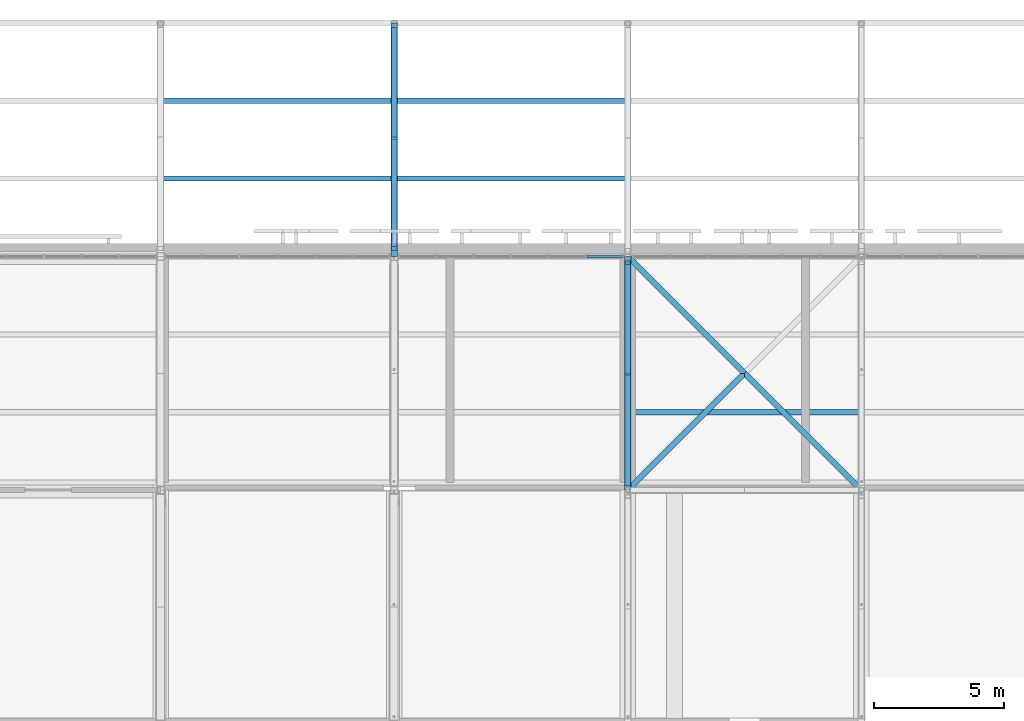
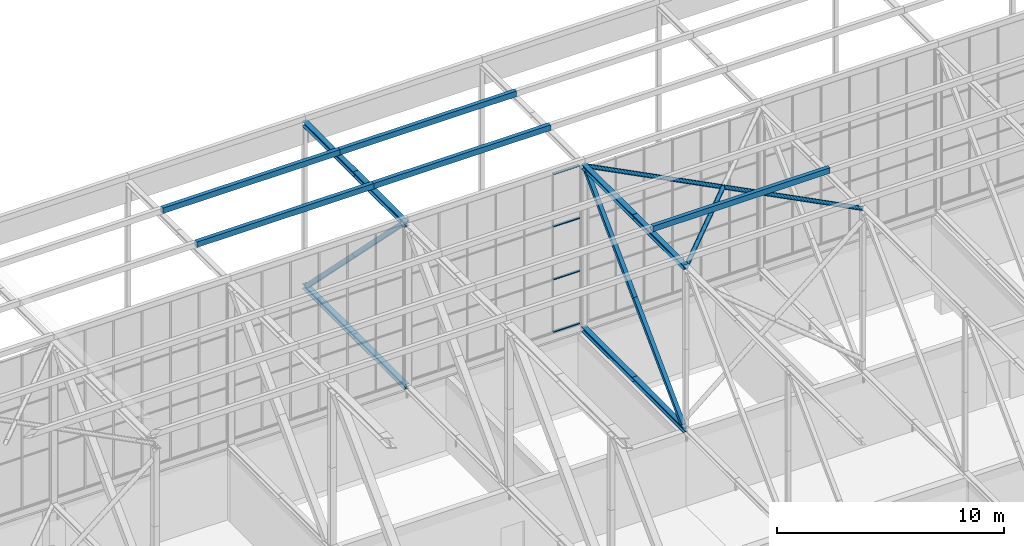
# One storey, part 127 of 646: 24 members, 1 element without a shape of its own.
"""IFC4 building model written with IfcOpenShell, lengths in metres."""

from ifc_helpers import new_model, si_unit, direction, frame, origin, origin_2d, place, context, subcontext, project, spatial, rectangle, hollow_rectangle, hollow_circle, i_section, extrude, material, material_profile, profile_set, type_object, element, aggregate, save


model = new_model("IFC4")

# Units and contexts
model_context = context("Model", 3, precision=1e-05, world=origin(), true_north=direction((0.0, 1.0)))
body_context = subcontext(model_context, "Body", "Model", "MODEL_VIEW")
ifc_project = project(units=[si_unit("LENGTHUNIT", "METRE"), si_unit("AREAUNIT", "SQUARE_METRE"), si_unit("VOLUMEUNIT", "CUBIC_METRE"), si_unit("PLANEANGLEUNIT", "RADIAN"), si_unit("MASSUNIT", "GRAM", prefix="KILO")], contexts=[model_context])

# Site, building, storey
site_placement = place(None, origin())
site = spatial("IfcSite", under=ifc_project, at=site_placement, CompositionType="ELEMENT")
building_placement = place(site_placement, origin())
building = spatial("IfcBuilding", under=site, at=building_placement, Name="Silverbay Arena", CompositionType="ELEMENT")
storey_placement = place(building_placement, frame((0.0, 0.0, 33.5)))
storey = spatial("IfcBuildingStorey", under=building, at=storey_placement, Name="L05", CompositionType="ELEMENT", Elevation=33.5)

# Members
ifc_material_1 = material(Name="Steel S355", Category="steel")
ifc_material_profile_1 = material_profile(ifc_material_1, i_section(OverallWidth=0.2587890625, OverallDepth=0.2666015625, WebThickness=0.0126953125, FlangeThickness=0.0205078125, at=origin_2d()), Name="UC 254x254x107")
ifc_profile_set_1 = profile_set([ifc_material_profile_1], Name="Steel S355")
member_type_1 = type_object("IfcMemberType", Name="Main-span bottom chord UC 254x254x107", PredefinedType="CHORD", material=ifc_profile_set_1)
for number, where, z_axis, x_axis, name in (
    (1, (153.0, 144.0, 4.13330078125), (0.0, 1.0, 0.0), (-1.0, 0.0, 0.0), "ROOF TRUSS 18 bottom chord 16a"),
    (2, (153.0, 148.5, 4.13330078125), (0.0, 1.0, 0.0), (-1.0, 0.0, 0.0), "ROOF TRUSS 18 bottom chord 16b"),
):
    element("IfcMember", number, at=place(storey_placement, frame(where, z_axis=z_axis, x_axis=x_axis)), inside=storey, type_object=member_type_1, Name=name, PredefinedType="CHORD", context=body_context, shape_type="SweptSolid", body=[
        extrude(i_section(OverallWidth=0.2587890625, OverallDepth=0.2666015625, WebThickness=0.0126953125, FlangeThickness=0.0205078125, at=origin_2d()), origin(), (0.0, 0.0, 1.0), 4.5),
    ])
ifc_material_2 = material(Name="Steel S355", Category="steel")
ifc_material_profile_2 = material_profile(ifc_material_2, i_section(OverallWidth=0.2587890625, OverallDepth=0.2666015625, WebThickness=0.0126953125, FlangeThickness=0.0205078125, at=origin_2d()), Name="UC 254x254x107")
ifc_profile_set_2 = profile_set([ifc_material_profile_2], Name="Steel S355")
member_type_2 = type_object("IfcMemberType", Name="Main-span top chord UC 254x254x107", PredefinedType="CHORD", material=ifc_profile_set_2)
for number, where, z_axis, x_axis, name in (
    (3, (153.0, 144.0, 12.86669921875), (0.0, 1.0, 0.0), (-1.0, 0.0, 0.0), "ROOF TRUSS 18 top chord 16a"),
    (4, (153.0, 148.5, 12.86669921875), (0.0, 1.0, 0.0), (-1.0, 0.0, 0.0), "ROOF TRUSS 18 top chord 16b"),
):
    element("IfcMember", number, at=place(storey_placement, frame(where, z_axis=z_axis, x_axis=x_axis)), inside=storey, type_object=member_type_2, Name=name, PredefinedType="CHORD", context=body_context, shape_type="SweptSolid", body=[
        extrude(i_section(OverallWidth=0.2587890625, OverallDepth=0.2666015625, WebThickness=0.0126953125, FlangeThickness=0.0205078125, at=origin_2d()), origin(), (0.0, 0.0, 1.0), 4.5),
    ])
ifc_material_3 = material(Name="Steel S355", Category="steel")
ifc_material_profile_3 = material_profile(ifc_material_3, hollow_rectangle(XDim=0.219970703125, YDim=0.219970703125, WallThickness=0.008056640625, at=origin_2d()), Name="SHS 220x220x8")
ifc_profile_set_3 = profile_set([ifc_material_profile_3], Name="Steel S355")
member_type_3 = type_object("IfcMemberType", Name="Main-span truss diagonal SHS 220x220x8", PredefinedType="BRACE", material=ifc_profile_set_3)
member_1_placement = place(storey_placement, frame((153.0, 144.310546875, 12.7333984375), z_axis=(0.0, 0.70551102507, -0.708698944196), x_axis=(-1.0, 0.0, 0.0)))
element("IfcMember", 5, at=member_1_placement, inside=storey, type_object=member_type_3, Name="ROOF TRUSS 18 diagonal 16a", PredefinedType="BRACE", context=body_context, shape_type="SweptSolid", body=[
    extrude(hollow_rectangle(XDim=0.219970703125, YDim=0.219970703125, WallThickness=0.008056640625, at=origin_2d()), origin(), (0.0, 0.0, 1.0), 5.973388671875),
])
member_2_placement = place(storey_placement, frame((153.0, 148.52490234375, 8.5), z_axis=(0.0, 0.705531551692, -0.708678509317), x_axis=(-1.0, 0.0, 0.0)))
element("IfcMember", 6, at=member_2_placement, inside=storey, type_object=member_type_3, Name="ROOF TRUSS 18 diagonal 16b", PredefinedType="BRACE", context=body_context, shape_type="SweptSolid", body=[
    extrude(hollow_rectangle(XDim=0.219970703125, YDim=0.219970703125, WallThickness=0.008056640625, at=origin_2d()), origin(), (0.0, 0.0, 1.0), 5.9736328125),
])
ifc_material_4 = material(Name="Steel S355", Category="steel")
ifc_material_profile_4 = material_profile(ifc_material_4, i_section(OverallWidth=0.254638671875, OverallDepth=0.254150390625, WebThickness=0.008544921875, FlangeThickness=0.01416015625, at=origin_2d()), Name="UC 254x254x73")
ifc_profile_set_4 = profile_set([ifc_material_profile_4], Name="Steel S355")
member_type_4 = type_object("IfcMemberType", Name="Medium-span bottom chord UC 254x254x73", PredefinedType="CHORD", material=ifc_profile_set_4)
for number, where, z_axis, x_axis, name in (
    (7, (162.0, 135.0, 4.126953125), (0.0, 1.0, 0.0), (-1.0, 0.0, 0.0), "ROOF TRUSS 19 bottom chord 15a"),
    (8, (162.0, 139.5, 4.126953125), (0.0, 1.0, 0.0), (-1.0, 0.0, 0.0), "ROOF TRUSS 19 bottom chord 15b"),
):
    element("IfcMember", number, at=place(storey_placement, frame(where, z_axis=z_axis, x_axis=x_axis)), inside=storey, type_object=member_type_4, Name=name, PredefinedType="CHORD", context=body_context, shape_type="SweptSolid", body=[
        extrude(i_section(OverallWidth=0.254638671875, OverallDepth=0.254150390625, WebThickness=0.008544921875, FlangeThickness=0.01416015625, at=origin_2d()), origin(), (0.0, 0.0, 1.0), 4.5),
    ])
ifc_material_5 = material(Name="Steel S355", Category="steel")
ifc_material_profile_5 = material_profile(ifc_material_5, i_section(OverallWidth=0.254638671875, OverallDepth=0.254150390625, WebThickness=0.008544921875, FlangeThickness=0.01416015625, at=origin_2d()), Name="UC 254x254x73")
ifc_profile_set_5 = profile_set([ifc_material_profile_5], Name="Steel S355")
member_type_5 = type_object("IfcMemberType", Name="Medium-span top chord UC 254x254x73", PredefinedType="CHORD", material=ifc_profile_set_5)
for number, where, z_axis, x_axis, name in (
    (9, (162.0, 135.0, 12.873046875), (0.0, 1.0, 0.0), (-1.0, 0.0, 0.0), "ROOF TRUSS 19 top chord 15a"),
    (10, (162.0, 139.5, 12.873046875), (0.0, 1.0, 0.0), (-1.0, 0.0, 0.0), "ROOF TRUSS 19 top chord 15b"),
):
    element("IfcMember", number, at=place(storey_placement, frame(where, z_axis=z_axis, x_axis=x_axis)), inside=storey, type_object=member_type_5, Name=name, PredefinedType="CHORD", context=body_context, shape_type="SweptSolid", body=[
        extrude(i_section(OverallWidth=0.254638671875, OverallDepth=0.254150390625, WebThickness=0.008544921875, FlangeThickness=0.01416015625, at=origin_2d()), origin(), (0.0, 0.0, 1.0), 4.5),
    ])
ifc_material_6 = material(Name="Steel S355", Category="steel")
ifc_material_profile_6 = material_profile(ifc_material_6, hollow_rectangle(XDim=0.199951171875, YDim=0.199951171875, WallThickness=0.008056640625, at=origin_2d()), Name="SHS 200x200x8")
ifc_profile_set_6 = profile_set([ifc_material_profile_6], Name="Steel S355")
member_type_6 = type_object("IfcMemberType", Name="Medium-span truss diagonal SHS 200x200x8", PredefinedType="BRACE", material=ifc_profile_set_6)
for number, where, z_axis, x_axis, name in (
    (11, (162.0, 143.75439453125, 12.745849609375), (0.0, -0.70781724692, -0.706395600894), (1.0, 0.0, 0.0), "ROOF TRUSS 19 diagonal 15a"),
    (12, (162.0, 139.5, 8.5), (0.0, -0.70781724692, -0.706395600894), (1.0, 0.0, 0.0), "ROOF TRUSS 19 diagonal 15b"),
):
    element("IfcMember", number, at=place(storey_placement, frame(where, z_axis=z_axis, x_axis=x_axis)), inside=storey, type_object=member_type_6, Name=name, PredefinedType="BRACE", context=body_context, shape_type="SweptSolid", body=[
        extrude(hollow_rectangle(XDim=0.199951171875, YDim=0.199951171875, WallThickness=0.008056640625, at=origin_2d()), origin(), (0.0, 0.0, 1.0), 6.010498046875),
    ])
ifc_material_7 = material(Name="Steel S355", Category="steel")
ifc_material_profile_7 = material_profile(ifc_material_7, hollow_circle(Radius=0.109619140625, WallThickness=0.00634765625, at=origin_2d()), Name="CHS 219.1x6.3")
ifc_profile_set_7 = profile_set([ifc_material_profile_7], Name="Steel S355")
member_type_7 = type_object("IfcMemberType", Name="Plan bracing CHS 219.1x6.3", PredefinedType="BRACE", material=ifc_profile_set_7)
for number, where, z_axis, x_axis, name in (
    (13, (162.0, 135.0, 12.873046875), (0.707106781187, 0.707106781187, 0.0), (-0.707106781187, 0.707106781187, 0.0), "ROOF BRACING top 19-20 panel 15 Aa"),
    (14, (162.0, 144.0, 12.873046875), (0.707106781187, -0.707106781187, 0.0), (0.707106781187, 0.707106781187, 0.0), "ROOF BRACING top 19-20 panel 15 Ba"),
    (15, (166.5, 139.5, 12.873046875), (0.707106781187, -0.707106781187, 0.0), (0.707106781187, 0.707106781187, 0.0), "ROOF BRACING top 19-20 panel 15 Bb"),
):
    element("IfcMember", number, at=place(storey_placement, frame(where, z_axis=z_axis, x_axis=x_axis)), inside=storey, type_object=member_type_7, Name=name, PredefinedType="BRACE", context=body_context, shape_type="SweptSolid", body=[
        extrude(hollow_circle(Radius=0.109619140625, WallThickness=0.00634765625, at=origin_2d()), origin(), (0.0, 0.0, 1.0), 6.364013671875),
    ])
ifc_material_8 = material(Name="Steel S355", Category="steel")
ifc_material_profile_8 = material_profile(ifc_material_8, hollow_rectangle(XDim=0.199951171875, YDim=0.300048828125, WallThickness=0.00634765625, at=origin_2d()), Name="RHS 300x200x6.3")
ifc_profile_set_8 = profile_set([ifc_material_profile_8], Name="Steel S355")
member_type_8 = type_object("IfcMemberType", Name="Purlin RHS 300x200x6.3", PredefinedType="PURLIN", material=ifc_profile_set_8)
member_3_placement = place(storey_placement, frame((162.0, 138.0, 13.14990234375), z_axis=(1.0, 0.0, 0.0), x_axis=(0.0, 1.0, 0.0)))
element("IfcMember", 16, at=member_3_placement, inside=storey, type_object=member_type_8, Name="ROOF PURLIN 19-20 line 44", PredefinedType="PURLIN", context=body_context, shape_type="SweptSolid", body=[
    extrude(hollow_rectangle(XDim=0.199951171875, YDim=0.300048828125, WallThickness=0.00634765625, at=origin_2d()), origin(), (0.0, 0.0, 1.0), 9.0),
])
ifc_material_9 = material(Name="Steel S355", Category="steel")
ifc_material_profile_9 = material_profile(ifc_material_9, hollow_rectangle(XDim=0.199951171875, YDim=0.300048828125, WallThickness=0.008056640625, at=origin_2d()), Name="RHS 300x200x8")
ifc_profile_set_9 = profile_set([ifc_material_profile_9], Name="Steel S355")
member_type_9 = type_object("IfcMemberType", Name="Purlin RHS 300x200x8", PredefinedType="PURLIN", material=ifc_profile_set_9)
for number, where, z_axis, x_axis, name in (
    (17, (144.0, 147.0, 13.14990234375), (1.0, 0.0, 0.0), (0.0, 1.0, 0.0), "ROOF PURLIN 17-18 line 47"),
    (18, (144.0, 150.0, 13.14990234375), (1.0, 0.0, 0.0), (0.0, 1.0, 0.0), "ROOF PURLIN 17-18 line 48"),
    (19, (153.0, 147.0, 13.14990234375), (1.0, 0.0, 0.0), (0.0, 1.0, 0.0), "ROOF PURLIN 18-19 line 47"),
    (20, (153.0, 150.0, 13.14990234375), (1.0, 0.0, 0.0), (0.0, 1.0, 0.0), "ROOF PURLIN 18-19 line 48"),
):
    element("IfcMember", number, at=place(storey_placement, frame(where, z_axis=z_axis, x_axis=x_axis)), inside=storey, type_object=member_type_9, Name=name, PredefinedType="PURLIN", context=body_context, shape_type="SweptSolid", body=[
        extrude(hollow_rectangle(XDim=0.199951171875, YDim=0.300048828125, WallThickness=0.008056640625, at=origin_2d()), origin(), (0.0, 0.0, 1.0), 9.0),
    ])

# Curtain wall, members
ifc_material_10 = material(Name="Aluminium framed glazing", Category="aluminium")
curtain_wall_type = type_object("IfcCurtainWallType", Name="Curtain wall clerestory 8693 x 8540", PredefinedType="NOTDEFINED", material=ifc_material_10)
curtain_wall_placement = place(storey_placement, origin())
curtain_wall = element("IfcCurtainWall", 21, at=curtain_wall_placement, inside=storey, type_object=curtain_wall_type, Name="ROOF CLERESTORY CURTAIN WALL north bay 12", PredefinedType="NOTDEFINED")
ifc_material_11 = material(Name="Aluminium", Category="aluminium")
ifc_material_profile_10 = material_profile(ifc_material_11, rectangle(XDim=0.1201171875, YDim=0.050048828125, at=origin_2d()), Name="Transom 50 x 120")
ifc_profile_set_10 = profile_set([ifc_material_profile_10], Name="Aluminium")
member_type_10 = type_object("IfcMemberType", Name="Transom 50 x 120", PredefinedType="USERDEFINED", material=ifc_profile_set_10)
member_4_placement = place(storey_placement, frame((160.427490234375, 144.0, 4.485107421875), z_axis=(1.0, 0.0, 0.0), x_axis=(0.0, 1.0, 0.0)))
member_4 = element("IfcMember", 22, at=member_4_placement, type_object=member_type_10, Name="CW55 transom 6.1", ObjectType="TRANSOM", PredefinedType="USERDEFINED", context=body_context, shape_type="SweptSolid", body=[
    extrude(rectangle(XDim=0.1201171875, YDim=0.050048828125, at=origin_2d()), origin(), (0.0, 0.0, 1.0), 1.35888671875),
])
member_5_placement = place(storey_placement, frame((160.427490234375, 144.0, 7.306640625), z_axis=(1.0, 0.0, 0.0), x_axis=(0.0, 1.0, 0.0)))
member_5 = element("IfcMember", 23, at=member_5_placement, type_object=member_type_10, Name="CW55 transom 6.2", ObjectType="TRANSOM", PredefinedType="USERDEFINED", context=body_context, shape_type="SweptSolid", body=[
    extrude(rectangle(XDim=0.1201171875, YDim=0.050048828125, at=origin_2d()), origin(), (0.0, 0.0, 1.0), 1.35888671875),
])
member_6_placement = place(storey_placement, frame((160.427490234375, 144.0, 10.1533203125), z_axis=(1.0, 0.0, 0.0), x_axis=(0.0, 1.0, 0.0)))
member_6 = element("IfcMember", 24, at=member_6_placement, type_object=member_type_10, Name="CW55 transom 6.3", ObjectType="TRANSOM", PredefinedType="USERDEFINED", context=body_context, shape_type="SweptSolid", body=[
    extrude(rectangle(XDim=0.1201171875, YDim=0.050048828125, at=origin_2d()), origin(), (0.0, 0.0, 1.0), 1.35888671875),
])
member_7_placement = place(storey_placement, frame((160.427490234375, 144.0, 12.97509765625), z_axis=(1.0, 0.0, 0.0), x_axis=(0.0, 1.0, 0.0)))
member_7 = element("IfcMember", 25, at=member_7_placement, type_object=member_type_10, Name="CW55 transom 6.4", ObjectType="TRANSOM", PredefinedType="USERDEFINED", context=body_context, shape_type="SweptSolid", body=[
    extrude(rectangle(XDim=0.1201171875, YDim=0.050048828125, at=origin_2d()), origin(), (0.0, 0.0, 1.0), 1.35888671875),
])
aggregate(curtain_wall, [member_4, member_5, member_6, member_7])

save(model, "model.ifc")
